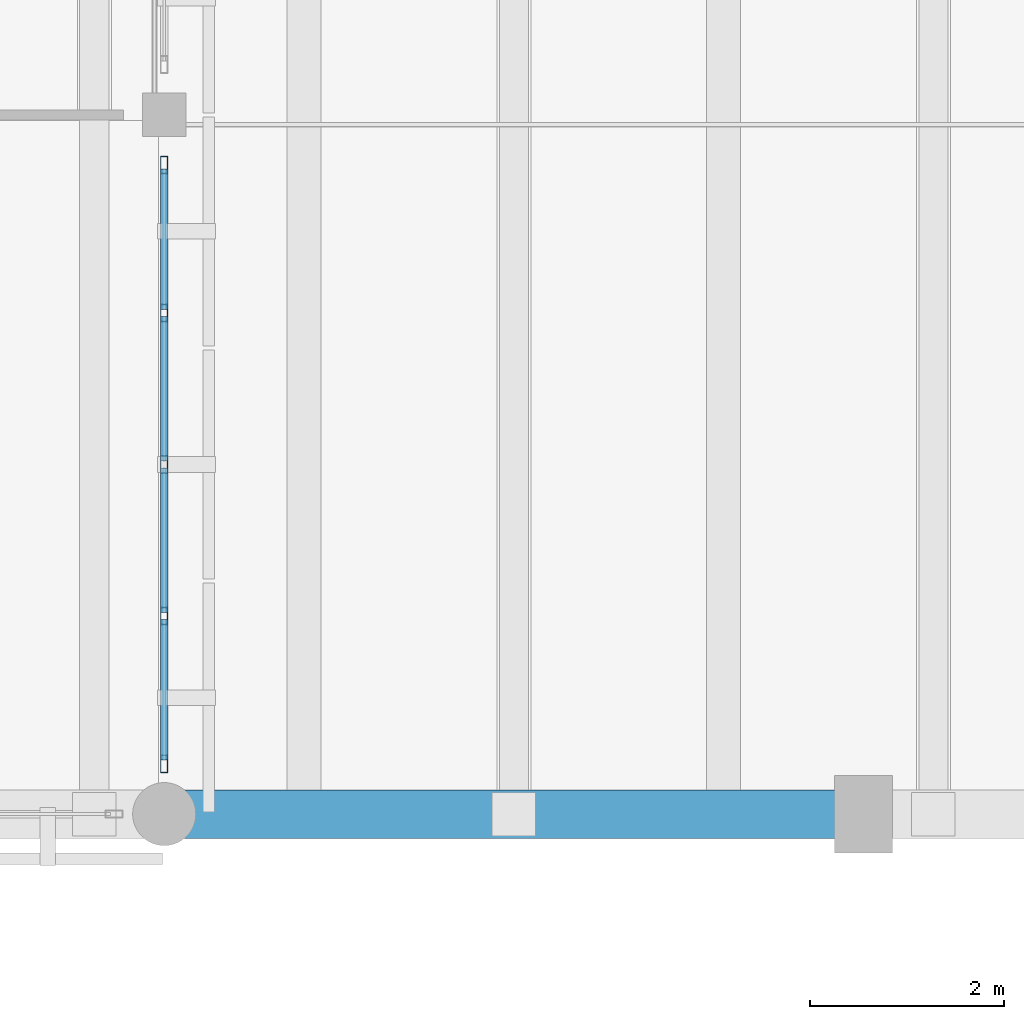
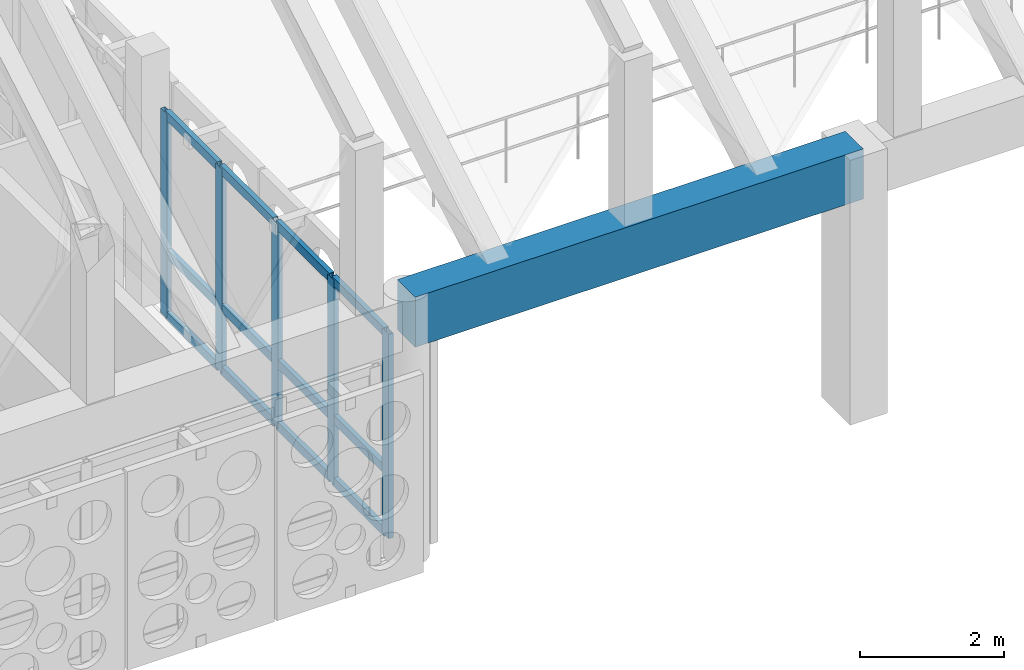
# One storey, part 19 of 171: 17 members, 1 beam, 1 element without a shape of its own.
"""IFC4 building model written with IfcOpenShell, lengths in metres."""

from ifc_helpers import new_model, si_unit, direction, frame, origin, origin_2d, place, context, subcontext, project, spatial, rectangle, hollow_rectangle, extrude, material, material_profile, profile_set, type_object, element, aggregate, save


model = new_model("IFC4")

# Units and contexts
model_context = context("Model", 3, precision=1e-05, world=origin(), true_north=direction((0.0, 1.0)))
body_context = subcontext(model_context, "Body", "Model", "MODEL_VIEW")
ifc_project = project(units=[si_unit("LENGTHUNIT", "METRE"), si_unit("AREAUNIT", "SQUARE_METRE"), si_unit("VOLUMEUNIT", "CUBIC_METRE"), si_unit("PLANEANGLEUNIT", "RADIAN"), si_unit("MASSUNIT", "GRAM", prefix="KILO")], contexts=[model_context])

# Site, building, storey
site_placement = place(None, origin())
site = spatial("IfcSite", under=ifc_project, at=site_placement, CompositionType="ELEMENT")
building_placement = place(site_placement, origin())
building = spatial("IfcBuilding", under=site, at=building_placement, Name="Aldebral Square Health Centre", CompositionType="ELEMENT")
storey_placement = place(building_placement, frame((0.0, 0.0, 4.5)))
storey = spatial("IfcBuildingStorey", under=building, at=storey_placement, Name="L01", CompositionType="ELEMENT", Elevation=4.5)

# Beam
ifc_material_1 = material(Name="Concrete C40/50", Category="concrete")
ifc_material_profile_1 = material_profile(ifc_material_1, rectangle(XDim=0.5, YDim=0.85009765625, at=origin_2d()), Name="RC 500x850")
ifc_profile_set_1 = profile_set([ifc_material_profile_1], Name="Concrete C40/50")
beam_type = type_object("IfcBeamType", Name="BM-G1", PredefinedType="T_BEAM", material=ifc_profile_set_1)
beam_placement = place(storey_placement, frame((72.0, 72.0, 4.074951171875), z_axis=(1.0, 0.0, 0.0), x_axis=(0.0, 1.0, 0.0)))
element("IfcBeam", 1, at=beam_placement, inside=storey, type_object=beam_type, Name="Waiting Hall diaphragm girder EAVE-S 11", PredefinedType="T_BEAM", context=body_context, shape_type="SweptSolid", body=[
    extrude(rectangle(XDim=0.5, YDim=0.85009765625, at=origin_2d()), origin(), (0.0, 0.0, 1.0), 7.199951171875),
])

# Curtain wall, members
ifc_material_2 = material(Name="Aluminium and low-E solar glass", Category="aluminium")
curtain_wall_type = type_object("IfcCurtainWallType", Name="CW-HALL-SYS", PredefinedType="USERDEFINED", material=ifc_material_2)
curtain_wall_placement = place(storey_placement, origin())
curtain_wall = element("IfcCurtainWall", 2, at=curtain_wall_placement, inside=storey, type_object=curtain_wall_type, Name="L01 V1 hall curtain wall L01-V1-09-10-E", ObjectType="HALL_CURTAIN_WALL", PredefinedType="USERDEFINED")
ifc_material_3 = material(Name="Anodised aluminium mullion", Category="aluminium")
ifc_material_profile_2 = material_profile(ifc_material_3, hollow_rectangle(XDim=0.074951171875, YDim=0.179931640625, WallThickness=0.00390625, at=origin_2d()), Name="CWM 75x180x4")
ifc_profile_set_2 = profile_set([ifc_material_profile_2], Name="Anodised aluminium mullion")
member_type_1 = type_object("IfcMemberType", Name="CWM-STD", PredefinedType="MULLION", material=ifc_profile_set_2)
member_1_placement = place(storey_placement, frame((72.0, 72.517578125, 0.0), z_axis=(0.0, 0.0, 1.0), x_axis=(-1.0, 0.0, 0.0)))
member_1 = element("IfcMember", 3, at=member_1_placement, type_object=member_type_1, Name="CW2 mullion 1", PredefinedType="MULLION", context=body_context, shape_type="SweptSolid", body=[
    extrude(hollow_rectangle(XDim=0.074951171875, YDim=0.179931640625, WallThickness=0.00390625, at=origin_2d()), origin(), (0.0, 0.0, 1.0), 3.469970703125),
])
member_2_placement = place(storey_placement, frame((72.0, 74.0400390625, 0.0), z_axis=(0.0, 0.0, 1.0), x_axis=(-1.0, 0.0, 0.0)))
member_2 = element("IfcMember", 4, at=member_2_placement, type_object=member_type_1, Name="CW2 mullion 2", PredefinedType="MULLION", context=body_context, shape_type="SweptSolid", body=[
    extrude(hollow_rectangle(XDim=0.074951171875, YDim=0.179931640625, WallThickness=0.00390625, at=origin_2d()), origin(), (0.0, 0.0, 1.0), 3.469970703125),
])
member_3_placement = place(storey_placement, frame((72.0, 75.60009765625, 0.0), z_axis=(0.0, 0.0, 1.0), x_axis=(-1.0, 0.0, 0.0)))
member_3 = element("IfcMember", 5, at=member_3_placement, type_object=member_type_1, Name="CW2 mullion 3", PredefinedType="MULLION", context=body_context, shape_type="SweptSolid", body=[
    extrude(hollow_rectangle(XDim=0.074951171875, YDim=0.179931640625, WallThickness=0.00390625, at=origin_2d()), origin(), (0.0, 0.0, 1.0), 3.469970703125),
])
member_4_placement = place(storey_placement, frame((72.0, 77.159912109375, 0.0), z_axis=(0.0, 0.0, 1.0), x_axis=(-1.0, 0.0, 0.0)))
member_4 = element("IfcMember", 6, at=member_4_placement, type_object=member_type_1, Name="CW2 mullion 4", PredefinedType="MULLION", context=body_context, shape_type="SweptSolid", body=[
    extrude(hollow_rectangle(XDim=0.074951171875, YDim=0.179931640625, WallThickness=0.00390625, at=origin_2d()), origin(), (0.0, 0.0, 1.0), 3.469970703125),
])
member_5_placement = place(storey_placement, frame((72.0, 78.6826171875, 0.0), z_axis=(0.0, 0.0, 1.0), x_axis=(-1.0, 0.0, 0.0)))
member_5 = element("IfcMember", 7, at=member_5_placement, type_object=member_type_1, Name="CW2 mullion 5", PredefinedType="MULLION", context=body_context, shape_type="SweptSolid", body=[
    extrude(hollow_rectangle(XDim=0.074951171875, YDim=0.179931640625, WallThickness=0.00390625, at=origin_2d()), origin(), (0.0, 0.0, 1.0), 3.469970703125),
])
ifc_material_4 = material(Name="Anodised aluminium transom", Category="aluminium")
ifc_material_profile_3 = material_profile(ifc_material_4, hollow_rectangle(XDim=0.074951171875, YDim=0.14990234375, WallThickness=0.00390625, at=origin_2d()), Name="CWT 75x150x4")
ifc_profile_set_3 = profile_set([ifc_material_profile_3], Name="Anodised aluminium transom")
member_type_2 = type_object("IfcMemberType", Name="CWT-STD", PredefinedType="USERDEFINED", material=ifc_profile_set_3)
member_6_placement = place(storey_placement, frame((72.0, 72.554931640625, 0.03759765625), z_axis=(0.0, 1.0, 0.0), x_axis=(-1.0, 0.0, 0.0)))
member_6 = element("IfcMember", 8, at=member_6_placement, type_object=member_type_2, Name="CW2 transom 1.1", ObjectType="TRANSOM", PredefinedType="USERDEFINED", context=body_context, shape_type="SweptSolid", body=[
    extrude(hollow_rectangle(XDim=0.074951171875, YDim=0.14990234375, WallThickness=0.00390625, at=origin_2d()), origin(), (0.0, 0.0, 1.0), 1.447509765625),
])
member_7_placement = place(storey_placement, frame((72.0, 72.554931640625, 1.10009765625), z_axis=(0.0, 1.0, 0.0), x_axis=(-1.0, 0.0, 0.0)))
member_7 = element("IfcMember", 9, at=member_7_placement, type_object=member_type_2, Name="CW2 transom 1.2", ObjectType="TRANSOM", PredefinedType="USERDEFINED", context=body_context, shape_type="SweptSolid", body=[
    extrude(hollow_rectangle(XDim=0.074951171875, YDim=0.14990234375, WallThickness=0.00390625, at=origin_2d()), origin(), (0.0, 0.0, 1.0), 1.447509765625),
])
member_8_placement = place(storey_placement, frame((72.0, 72.554931640625, 3.4326171875), z_axis=(0.0, 1.0, 0.0), x_axis=(-1.0, 0.0, 0.0)))
member_8 = element("IfcMember", 10, at=member_8_placement, type_object=member_type_2, Name="CW2 transom 1.3", ObjectType="TRANSOM", PredefinedType="USERDEFINED", context=body_context, shape_type="SweptSolid", body=[
    extrude(hollow_rectangle(XDim=0.074951171875, YDim=0.14990234375, WallThickness=0.00390625, at=origin_2d()), origin(), (0.0, 0.0, 1.0), 1.447509765625),
])
member_9_placement = place(storey_placement, frame((72.0, 74.077392578125, 0.03759765625), z_axis=(0.0, 1.0, 0.0), x_axis=(-1.0, 0.0, 0.0)))
member_9 = element("IfcMember", 11, at=member_9_placement, type_object=member_type_2, Name="CW2 transom 2.1", ObjectType="TRANSOM", PredefinedType="USERDEFINED", context=body_context, shape_type="SweptSolid", body=[
    extrude(hollow_rectangle(XDim=0.074951171875, YDim=0.14990234375, WallThickness=0.00390625, at=origin_2d()), origin(), (0.0, 0.0, 1.0), 1.485107421875),
])
member_10_placement = place(storey_placement, frame((72.0, 74.077392578125, 1.10009765625), z_axis=(0.0, 1.0, 0.0), x_axis=(-1.0, 0.0, 0.0)))
member_10 = element("IfcMember", 12, at=member_10_placement, type_object=member_type_2, Name="CW2 transom 2.2", ObjectType="TRANSOM", PredefinedType="USERDEFINED", context=body_context, shape_type="SweptSolid", body=[
    extrude(hollow_rectangle(XDim=0.074951171875, YDim=0.14990234375, WallThickness=0.00390625, at=origin_2d()), origin(), (0.0, 0.0, 1.0), 1.485107421875),
])
member_11_placement = place(storey_placement, frame((72.0, 74.077392578125, 3.4326171875), z_axis=(0.0, 1.0, 0.0), x_axis=(-1.0, 0.0, 0.0)))
member_11 = element("IfcMember", 13, at=member_11_placement, type_object=member_type_2, Name="CW2 transom 2.3", ObjectType="TRANSOM", PredefinedType="USERDEFINED", context=body_context, shape_type="SweptSolid", body=[
    extrude(hollow_rectangle(XDim=0.074951171875, YDim=0.14990234375, WallThickness=0.00390625, at=origin_2d()), origin(), (0.0, 0.0, 1.0), 1.485107421875),
])
member_12_placement = place(storey_placement, frame((72.0, 75.637451171875, 0.03759765625), z_axis=(0.0, 1.0, 0.0), x_axis=(-1.0, 0.0, 0.0)))
member_12 = element("IfcMember", 14, at=member_12_placement, type_object=member_type_2, Name="CW2 transom 3.1", ObjectType="TRANSOM", PredefinedType="USERDEFINED", context=body_context, shape_type="SweptSolid", body=[
    extrude(hollow_rectangle(XDim=0.074951171875, YDim=0.14990234375, WallThickness=0.00390625, at=origin_2d()), origin(), (0.0, 0.0, 1.0), 1.485107421875),
])
member_13_placement = place(storey_placement, frame((72.0, 75.637451171875, 1.10009765625), z_axis=(0.0, 1.0, 0.0), x_axis=(-1.0, 0.0, 0.0)))
member_13 = element("IfcMember", 15, at=member_13_placement, type_object=member_type_2, Name="CW2 transom 3.2", ObjectType="TRANSOM", PredefinedType="USERDEFINED", context=body_context, shape_type="SweptSolid", body=[
    extrude(hollow_rectangle(XDim=0.074951171875, YDim=0.14990234375, WallThickness=0.00390625, at=origin_2d()), origin(), (0.0, 0.0, 1.0), 1.485107421875),
])
member_14_placement = place(storey_placement, frame((72.0, 75.637451171875, 3.4326171875), z_axis=(0.0, 1.0, 0.0), x_axis=(-1.0, 0.0, 0.0)))
member_14 = element("IfcMember", 16, at=member_14_placement, type_object=member_type_2, Name="CW2 transom 3.3", ObjectType="TRANSOM", PredefinedType="USERDEFINED", context=body_context, shape_type="SweptSolid", body=[
    extrude(hollow_rectangle(XDim=0.074951171875, YDim=0.14990234375, WallThickness=0.00390625, at=origin_2d()), origin(), (0.0, 0.0, 1.0), 1.485107421875),
])
member_15_placement = place(storey_placement, frame((72.0, 77.197509765625, 0.03759765625), z_axis=(0.0, 1.0, 0.0), x_axis=(-1.0, 0.0, 0.0)))
member_15 = element("IfcMember", 17, at=member_15_placement, type_object=member_type_2, Name="CW2 transom 4.1", ObjectType="TRANSOM", PredefinedType="USERDEFINED", context=body_context, shape_type="SweptSolid", body=[
    extrude(hollow_rectangle(XDim=0.074951171875, YDim=0.14990234375, WallThickness=0.00390625, at=origin_2d()), origin(), (0.0, 0.0, 1.0), 1.447509765625),
])
member_16_placement = place(storey_placement, frame((72.0, 77.197509765625, 1.10009765625), z_axis=(0.0, 1.0, 0.0), x_axis=(-1.0, 0.0, 0.0)))
member_16 = element("IfcMember", 18, at=member_16_placement, type_object=member_type_2, Name="CW2 transom 4.2", ObjectType="TRANSOM", PredefinedType="USERDEFINED", context=body_context, shape_type="SweptSolid", body=[
    extrude(hollow_rectangle(XDim=0.074951171875, YDim=0.14990234375, WallThickness=0.00390625, at=origin_2d()), origin(), (0.0, 0.0, 1.0), 1.447509765625),
])
member_17_placement = place(storey_placement, frame((72.0, 77.197509765625, 3.4326171875), z_axis=(0.0, 1.0, 0.0), x_axis=(-1.0, 0.0, 0.0)))
member_17 = element("IfcMember", 19, at=member_17_placement, type_object=member_type_2, Name="CW2 transom 4.3", ObjectType="TRANSOM", PredefinedType="USERDEFINED", context=body_context, shape_type="SweptSolid", body=[
    extrude(hollow_rectangle(XDim=0.074951171875, YDim=0.14990234375, WallThickness=0.00390625, at=origin_2d()), origin(), (0.0, 0.0, 1.0), 1.447509765625),
])
aggregate(curtain_wall, [member_1, member_2, member_3, member_4, member_5, member_6, member_7, member_8, member_9, member_10, member_11, member_12, member_13, member_14, member_15, member_16, member_17])

save(model, "model.ifc")
